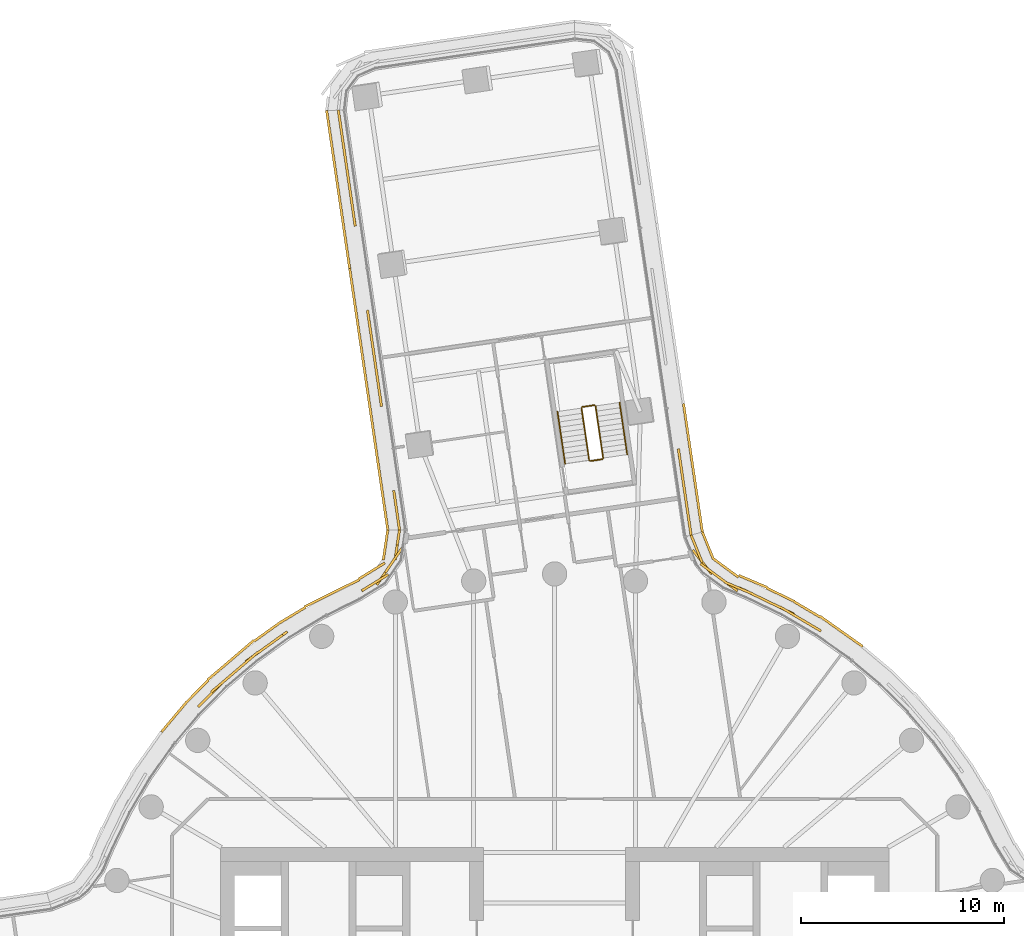
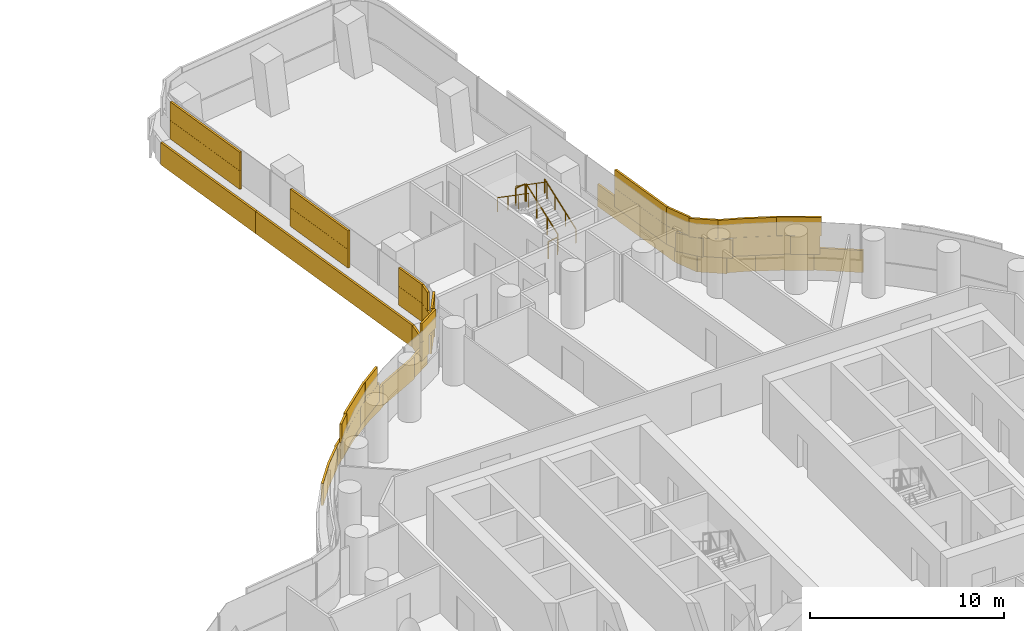
# One storey, part 30 of 31: 6 railings, 5 coverings.
"""IFC4 building model written with IfcOpenShell, lengths in metres."""

from ifc_helpers import new_model, si_unit, direction, frame, origin, origin_2d, place, context, subcontext, project, spatial, rectangle, circle, extrude, material, layer, layer_set, type_object, element, save


model = new_model("IFC4")

# Units and contexts
model_context = context("Model", 3, precision=1e-05, world=origin(), true_north=direction((0.0, 1.0)))
body_context = subcontext(model_context, "Body", "Model", "MODEL_VIEW")
ifc_project = project(units=[si_unit("LENGTHUNIT", "METRE"), si_unit("AREAUNIT", "SQUARE_METRE"), si_unit("VOLUMEUNIT", "CUBIC_METRE"), si_unit("PLANEANGLEUNIT", "RADIAN"), si_unit("MASSUNIT", "GRAM", prefix="KILO")], contexts=[model_context])

# Site, building, storey
site_placement = place(None, origin())
site = spatial("IfcSite", under=ifc_project, at=site_placement, CompositionType="ELEMENT")
building_placement = place(site_placement, origin())
building = spatial("IfcBuilding", under=site, at=building_placement, Name="Tamarind Cross Interchange Tower", CompositionType="ELEMENT")
storey_placement = place(building_placement, frame((0.0, 0.0, 64.0)))
storey = spatial("IfcBuildingStorey", under=building, at=storey_placement, Name="L14", CompositionType="ELEMENT", Elevation=64.0)

# Railings
ifc_material_1 = material(Name="Stair guard")
railing_type_1 = type_object("IfcRailingType", Name="Stair guard", PredefinedType="GUARDRAIL", material=ifc_material_1)
railing_1_placement = place(storey_placement, frame((2.398681640625, 28.719970703125, 0.17041015625)))
element("IfcRailing", 1, at=railing_1_placement, inside=storey, type_object=railing_type_1, Name="L14 ST4 stair guard 1", PredefinedType="GUARDRAIL", context=body_context, shape_type="SweptSolid", body=[
    extrude(circle(Radius=0.02392578125, at=origin_2d()), frame((0.0, 0.0, 1.076171875), z_axis=(-0.121557479117, 0.82742322833, 0.548265064079), x_axis=(-0.989380193908, -0.145350720335, 0.0)), (0.0, 0.0, 1.0), 3.109130859375),
    extrude(circle(Radius=0.02099609375, at=origin_2d()), origin(), (0.0, 0.0, 1.0), 1.052001953125),
    extrude(circle(Radius=0.02099609375, at=origin_2d()), frame((-0.1259765625, 0.857421875, 0.568115234375)), (0.0, 0.0, 1.0), 1.052001953125),
    extrude(circle(Radius=0.02099609375, at=origin_2d()), frame((-0.251953125, 1.715087890625, 1.136474609375)), (0.0, 0.0, 1.0), 1.052001953125),
    extrude(circle(Radius=0.02099609375, at=origin_2d()), frame((-0.3779296875, 2.572509765625, 1.70458984375)), (0.0, 0.0, 1.0), 1.052001953125),
])
railing_2_placement = place(storey_placement, frame((1.9638671875, 31.334716796875, 1.875)))
element("IfcRailing", 2, at=railing_2_placement, inside=storey, type_object=railing_type_1, Name="L14 ST4 stair guard 2", PredefinedType="GUARDRAIL", context=body_context, shape_type="SweptSolid", body=[
    extrude(circle(Radius=0.02392578125, at=origin_2d()), frame((0.0, 0.0, 1.076171875), z_axis=(-0.989329824925, -0.145693162206, 0.0), x_axis=(0.145693162206, -0.989329824925, 0.0)), (0.0, 0.0, 1.0), 0.599853515625),
    extrude(circle(Radius=0.02099609375, at=origin_2d()), origin(), (0.0, 0.0, 1.0), 1.052001953125),
    extrude(circle(Radius=0.02099609375, at=origin_2d()), frame((-0.593505859375, -0.08740234375, 0.0)), (0.0, 0.0, 1.0), 1.052001953125),
])
railing_3_placement = place(storey_placement, frame((1.328125, 31.190673828125, 2.04541015625)))
element("IfcRailing", 3, at=railing_3_placement, inside=storey, type_object=railing_type_1, Name="L14 ST4 stair guard 3", PredefinedType="GUARDRAIL", context=body_context, shape_type="SweptSolid", body=[
    extrude(circle(Radius=0.02392578125, at=origin_2d()), frame((0.0, 0.0, 1.076171875), z_axis=(0.121565377566, -0.827398461266, 0.548300688739), x_axis=(0.989378209911, 0.145364224463, 0.0)), (0.0, 0.0, 1.0), 3.10888671875),
    extrude(circle(Radius=0.02099609375, at=origin_2d()), origin(), (0.0, 0.0, 1.0), 1.052001953125),
    extrude(circle(Radius=0.02099609375, at=origin_2d()), frame((0.1259765625, -0.857421875, 0.568115234375)), (0.0, 0.0, 1.0), 1.052001953125),
    extrude(circle(Radius=0.02099609375, at=origin_2d()), frame((0.251953125, -1.71484375, 1.136474609375)), (0.0, 0.0, 1.0), 1.052001953125),
    extrude(circle(Radius=0.02099609375, at=origin_2d()), frame((0.3779296875, -2.572265625, 1.70458984375)), (0.0, 0.0, 1.0), 1.052001953125),
])
railing_4_placement = place(storey_placement, frame((2.3564453125, 28.663330078125, 0.0)))
element("IfcRailing", 4, at=railing_4_placement, inside=storey, type_object=railing_type_1, Name="L14 ST4 stair guard 4", PredefinedType="GUARDRAIL", context=body_context, shape_type="SweptSolid", body=[
    extrude(circle(Radius=0.02392578125, at=origin_2d()), frame((0.0, 0.0, 1.076171875), z_axis=(-0.98939699401, -0.145236318611, 0.0), x_axis=(0.145236318611, -0.98939699401, 0.0)), (0.0, 0.0, 1.0), 0.60009765625),
    extrude(circle(Radius=0.02099609375, at=origin_2d()), origin(), (0.0, 0.0, 1.0), 1.052001953125),
    extrude(circle(Radius=0.02099609375, at=origin_2d()), frame((-0.59375, -0.087158203125, 0.0)), (0.0, 0.0, 1.0), 1.052001953125),
])
ifc_material_2 = material(Name="Stair handrail")
railing_type_2 = type_object("IfcRailingType", Name="Stair handrail", PredefinedType="HANDRAIL", material=ifc_material_2)
railing_5_placement = place(storey_placement, frame((3.5859375, 28.89453125, 0.17041015625)))
element("IfcRailing", 5, at=railing_5_placement, inside=storey, type_object=railing_type_2, Name="L14 ST4 stair handrail 1", PredefinedType="HANDRAIL", context=body_context, shape_type="SweptSolid", body=[
    extrude(circle(Radius=0.02392578125, at=origin_2d()), frame((0.0, 0.0, 0.8759765625), z_axis=(-0.121565377566, 0.827398461266, 0.548300688739), x_axis=(-0.989378209911, -0.145364224463, 0.0)), (0.0, 0.0, 1.0), 3.10888671875),
    extrude(circle(Radius=0.02099609375, at=origin_2d()), origin(), (0.0, 0.0, 1.0), 0.851806640625),
    extrude(circle(Radius=0.02099609375, at=origin_2d()), frame((-0.1259765625, 0.857421875, 0.568115234375)), (0.0, 0.0, 1.0), 0.851806640625),
    extrude(circle(Radius=0.02099609375, at=origin_2d()), frame((-0.251953125, 1.71484375, 1.136474609375)), (0.0, 0.0, 1.0), 0.851806640625),
    extrude(circle(Radius=0.02099609375, at=origin_2d()), frame((-0.3779296875, 2.572265625, 1.70458984375)), (0.0, 0.0, 1.0), 0.851806640625),
])
railing_6_placement = place(storey_placement, frame((0.140869140625, 31.016357421875, 2.04541015625)))
element("IfcRailing", 6, at=railing_6_placement, inside=storey, type_object=railing_type_2, Name="L14 ST4 stair handrail 2", PredefinedType="HANDRAIL", context=body_context, shape_type="SweptSolid", body=[
    extrude(circle(Radius=0.02392578125, at=origin_2d()), frame((0.0, 0.0, 0.8759765625), z_axis=(0.121557479117, -0.82742322833, 0.548265064079), x_axis=(0.989380193908, 0.145350720335, 0.0)), (0.0, 0.0, 1.0), 3.109130859375),
    extrude(circle(Radius=0.02099609375, at=origin_2d()), origin(), (0.0, 0.0, 1.0), 0.851806640625),
    extrude(circle(Radius=0.02099609375, at=origin_2d()), frame((0.1259765625, -0.857421875, 0.568115234375)), (0.0, 0.0, 1.0), 0.851806640625),
    extrude(circle(Radius=0.02099609375, at=origin_2d()), frame((0.251953125, -1.715087890625, 1.136474609375)), (0.0, 0.0, 1.0), 0.851806640625),
    extrude(circle(Radius=0.02099609375, at=origin_2d()), frame((0.3779296875, -2.572509765625, 1.70458984375)), (0.0, 0.0, 1.0), 0.851806640625),
])

# Coverings
ifc_material_3 = material(Name="Terracotta", Category="masonry")
ifc_layer = layer(ifc_material_3, 0.1201171875)
ifc_layer_set = layer_set([ifc_layer], Name="Terracotta")
covering_type = type_object("IfcCoveringType", Name="Terracotta baguette screen unit", PredefinedType="MOLDING", material=ifc_layer_set)
covering_1_placement = place(storey_placement, origin())
element("IfcCovering", 7, at=covering_1_placement, inside=storey, type_object=covering_type, Name="SCR-L14-10-01", PredefinedType="MOLDING", context=body_context, shape_type="SweptSolid", body=[
    extrude(rectangle(XDim=1.52001953125, YDim=0.1201171875, at=origin_2d()), frame((12.439697265625, 20.6025390625, 1.404052734375), z_axis=(0.0, 0.0, 1.0), x_axis=(-0.861248933065, 0.508183308752, 0.0)), (0.0, 0.0, 1.0), 1.1669921875),
    extrude(rectangle(XDim=1.52001953125, YDim=0.1201171875, at=origin_2d()), frame((11.137451171875, 21.345703125, 1.404052734375), z_axis=(0.0, 0.0, 1.0), x_axis=(-0.900272776334, 0.435326231914, 0.0)), (0.0, 0.0, 1.0), 1.1669921875),
    extrude(rectangle(XDim=1.52001953125, YDim=0.1201171875, at=origin_2d()), frame((9.787109375, 21.998779296875, 1.404052734375), z_axis=(0.0, 0.0, 1.0), x_axis=(-0.900272776334, 0.435326231914, 0.0)), (0.0, 0.0, 1.0), 1.1669921875),
    extrude(rectangle(XDim=1.52001953125, YDim=0.1201171875, at=origin_2d()), frame((8.419921875, 22.610595703125, 1.404052734375), z_axis=(0.0, 0.0, 1.0), x_axis=(-0.804922360255, 0.593380142878, 0.0)), (0.0, 0.0, 1.0), 1.1669921875),
    extrude(rectangle(XDim=1.52001953125, YDim=0.1201171875, at=origin_2d()), frame((7.292724609375, 23.583740234375, 1.404052734375), z_axis=(0.0, 0.0, 1.0), x_axis=(-0.622805604079, 0.78237662256, 0.0)), (0.0, 0.0, 1.0), 1.1669921875),
    extrude(rectangle(XDim=0.70751953125, YDim=0.1201171875, at=origin_2d()), frame((6.868408203125, 24.59521484375, 1.404052734375), z_axis=(0.0, 0.0, 1.0), x_axis=(-0.37557676071, 0.92679129086, 0.0)), (0.0, 0.0, 1.0), 1.1669921875),
    extrude(rectangle(XDim=0.831298828125, YDim=0.1201171875, at=origin_2d()), frame((12.793212890625, 20.393798828125, 2.5791015625), z_axis=(0.0, 0.0, 1.0), x_axis=(-0.861248933065, 0.508183308752, 0.0)), (0.0, 0.0, 1.0), 1.1669921875),
    extrude(rectangle(XDim=1.52001953125, YDim=0.1201171875, at=origin_2d()), frame((11.793701171875, 20.983642578125, 2.5791015625), z_axis=(0.0, 0.0, 1.0), x_axis=(-0.861248933065, 0.508183308752, 0.0)), (0.0, 0.0, 1.0), 1.1669921875),
    extrude(rectangle(XDim=1.52001953125, YDim=0.1201171875, at=origin_2d()), frame((10.46240234375, 21.672119140625, 2.5791015625), z_axis=(0.0, 0.0, 1.0), x_axis=(-0.900272776334, 0.435326231914, 0.0)), (0.0, 0.0, 1.0), 1.1669921875),
    extrude(rectangle(XDim=1.52001953125, YDim=0.1201171875, at=origin_2d()), frame((9.101318359375, 22.301513671875, 2.5791015625), z_axis=(0.0, 0.0, 1.0), x_axis=(-0.920810985922, 0.390009138618, 0.0)), (0.0, 0.0, 1.0), 1.1669921875),
    extrude(rectangle(XDim=1.52001953125, YDim=0.1201171875, at=origin_2d()), frame((7.81640625, 23.0556640625, 2.5791015625), z_axis=(0.0, 0.0, 1.0), x_axis=(-0.804922360255, 0.593380142878, 0.0)), (0.0, 0.0, 1.0), 1.1669921875),
    extrude(rectangle(XDim=1.45751953125, YDim=0.1201171875, at=origin_2d()), frame((7.009033203125, 24.24755859375, 2.5791015625), z_axis=(0.0, 0.0, 1.0), x_axis=(-0.37557676071, 0.92679129086, 0.0)), (0.0, 0.0, 1.0), 1.1669921875),
    extrude(rectangle(XDim=1.07080078125, YDim=0.1201171875, at=origin_2d()), frame((14.775390625, 19.72900390625, 0.00390625), z_axis=(0.0, 0.0, 1.0), x_axis=(-0.816341886298, 0.577568978284, 0.0)), (0.0, 0.0, 1.0), 1.39208984375),
    extrude(rectangle(XDim=1.52001953125, YDim=0.1201171875, at=origin_2d()), frame((13.734375, 20.465576171875, 0.00390625), z_axis=(0.0, 0.0, 1.0), x_axis=(-0.816341886298, 0.577568978284, 0.0)), (0.0, 0.0, 1.0), 1.39208984375),
    extrude(rectangle(XDim=1.52001953125, YDim=0.1201171875, at=origin_2d()), frame((12.4609375, 21.25634765625, 0.00390625), z_axis=(0.0, 0.0, 1.0), x_axis=(-0.861248933065, 0.508183308752, 0.0)), (0.0, 0.0, 1.0), 1.39208984375),
    extrude(rectangle(XDim=1.52001953125, YDim=0.1201171875, at=origin_2d()), frame((11.1474609375, 21.978515625, 0.00390625), z_axis=(0.0, 0.0, 1.0), x_axis=(-0.900272776334, 0.435326231914, 0.0)), (0.0, 0.0, 1.0), 1.39208984375),
    extrude(rectangle(XDim=1.52001953125, YDim=0.1201171875, at=origin_2d()), frame((9.796630859375, 22.63037109375, 0.00390625), z_axis=(0.0, 0.0, 1.0), x_axis=(-0.920810985922, 0.390009138618, 0.0)), (0.0, 0.0, 1.0), 1.39208984375),
    extrude(rectangle(XDim=1.52001953125, YDim=0.1201171875, at=origin_2d()), frame((8.460205078125, 23.294189453125, 0.00390625), z_axis=(0.0, 0.0, 1.0), x_axis=(-0.804922360255, 0.593380142878, 0.0)), (0.0, 0.0, 1.0), 1.39208984375),
    extrude(rectangle(XDim=1.447265625, YDim=0.1201171875, at=origin_2d()), frame((7.56689453125, 24.3994140625, 0.00390625), z_axis=(0.0, 0.0, 1.0), x_axis=(-0.37557676071, 0.92679129086, 0.0)), (0.0, 0.0, 1.0), 1.39208984375),
])
covering_2_placement = place(storey_placement, origin())
element("IfcCovering", 8, at=covering_2_placement, inside=storey, type_object=covering_type, Name="SCR-L14-11-00", PredefinedType="MOLDING", context=body_context, shape_type="SweptSolid", body=[
    extrude(rectangle(XDim=1.510009765625, YDim=0.1201171875, at=origin_2d()), frame((6.62841796875, 25.660400390625, 1.404052734375), z_axis=(0.0, 0.0, 1.0), x_axis=(-0.14536472205, 0.989378136803, 0.0)), (0.0, 0.0, 1.0), 1.1669921875),
    extrude(rectangle(XDim=1.52001953125, YDim=0.1201171875, at=origin_2d()), frame((6.41015625, 27.14453125, 1.404052734375), z_axis=(0.0, 0.0, 1.0), x_axis=(-0.14536472205, 0.989378136803, 0.0)), (0.0, 0.0, 1.0), 1.1669921875),
    extrude(rectangle(XDim=1.313232421875, YDim=0.1201171875, at=origin_2d()), frame((6.20654296875, 28.531005859375, 1.404052734375), z_axis=(0.0, 0.0, 1.0), x_axis=(-0.14536472205, 0.989378136803, 0.0)), (0.0, 0.0, 1.0), 1.1669921875),
    extrude(rectangle(XDim=0.760009765625, YDim=0.1201171875, at=origin_2d()), frame((6.682861328125, 25.289306640625, 2.5791015625), z_axis=(0.0, 0.0, 1.0), x_axis=(-0.14536472205, 0.989378136803, 0.0)), (0.0, 0.0, 1.0), 1.1669921875),
    extrude(rectangle(XDim=1.52001953125, YDim=0.1201171875, at=origin_2d()), frame((6.519287109375, 26.40234375, 2.5791015625), z_axis=(0.0, 0.0, 1.0), x_axis=(-0.14536472205, 0.989378136803, 0.0)), (0.0, 0.0, 1.0), 1.1669921875),
    extrude(rectangle(XDim=1.52001953125, YDim=0.1201171875, at=origin_2d()), frame((6.30126953125, 27.886474609375, 2.5791015625), z_axis=(0.0, 0.0, 1.0), x_axis=(-0.14536472205, 0.989378136803, 0.0)), (0.0, 0.0, 1.0), 1.1669921875),
    extrude(rectangle(XDim=0.563232421875, YDim=0.1201171875, at=origin_2d()), frame((6.152099609375, 28.902099609375, 2.5791015625), z_axis=(0.0, 0.0, 1.0), x_axis=(-0.14536472205, 0.989378136803, 0.0)), (0.0, 0.0, 1.0), 1.1669921875),
    extrude(rectangle(XDim=1.510009765625, YDim=0.1201171875, at=origin_2d()), frame((7.185546875, 25.81689453125, 0.00390625), z_axis=(0.0, 0.0, 1.0), x_axis=(-0.14536472205, 0.989378136803, 0.0)), (0.0, 0.0, 1.0), 1.39208984375),
    extrude(rectangle(XDim=1.52001953125, YDim=0.1201171875, at=origin_2d()), frame((6.96826171875, 27.296142578125, 0.00390625), z_axis=(0.0, 0.0, 1.0), x_axis=(-0.14536472205, 0.989378136803, 0.0)), (0.0, 0.0, 1.0), 1.39208984375),
    extrude(rectangle(XDim=1.52001953125, YDim=0.1201171875, at=origin_2d()), frame((6.75, 28.7802734375, 0.00390625), z_axis=(0.0, 0.0, 1.0), x_axis=(-0.14536472205, 0.989378136803, 0.0)), (0.0, 0.0, 1.0), 1.39208984375),
    extrude(rectangle(XDim=1.52001953125, YDim=0.1201171875, at=origin_2d()), frame((6.531982421875, 30.26416015625, 0.00390625), z_axis=(0.0, 0.0, 1.0), x_axis=(-0.14536472205, 0.989378136803, 0.0)), (0.0, 0.0, 1.0), 1.39208984375),
    extrude(rectangle(XDim=0.4150390625, YDim=0.1201171875, at=origin_2d()), frame((6.394287109375, 31.20166015625, 0.00390625), z_axis=(0.0, 0.0, 1.0), x_axis=(-0.14536472205, 0.989378136803, 0.0)), (0.0, 0.0, 1.0), 1.39208984375),
])
covering_3_placement = place(storey_placement, origin())
element("IfcCovering", 9, at=covering_3_placement, inside=storey, type_object=covering_type, Name="SCR-L14-13-00", PredefinedType="MOLDING", context=body_context, shape_type="SweptSolid", body=[
    extrude(rectangle(XDim=1.510009765625, YDim=0.1201171875, at=origin_2d()), frame((-10.56884765625, 45.154052734375, 1.404052734375), z_axis=(0.0, 0.0, 1.0), x_axis=(0.144186728298, -0.989550497642, 0.0)), (0.0, 0.0, 1.0), 1.1669921875),
    extrude(rectangle(XDim=1.52001953125, YDim=0.1201171875, at=origin_2d()), frame((-10.3525390625, 43.669921875, 1.404052734375), z_axis=(0.0, 0.0, 1.0), x_axis=(0.144186728298, -0.989550497642, 0.0)), (0.0, 0.0, 1.0), 1.1669921875),
    extrude(rectangle(XDim=1.52001953125, YDim=0.1201171875, at=origin_2d()), frame((-10.136474609375, 42.185546875, 1.404052734375), z_axis=(0.0, 0.0, 1.0), x_axis=(0.144186728298, -0.989550497642, 0.0)), (0.0, 0.0, 1.0), 1.1669921875),
    extrude(rectangle(XDim=1.2919921875, YDim=0.1201171875, at=origin_2d()), frame((-9.935791015625, 40.80908203125, 1.404052734375), z_axis=(0.0, 0.0, 1.0), x_axis=(0.144186728298, -0.989550497642, 0.0)), (0.0, 0.0, 1.0), 1.1669921875),
    extrude(rectangle(XDim=0.760009765625, YDim=0.1201171875, at=origin_2d()), frame((-10.623046875, 45.525146484375, 2.5791015625), z_axis=(0.0, 0.0, 1.0), x_axis=(0.144186728298, -0.989550497642, 0.0)), (0.0, 0.0, 1.0), 1.1669921875),
    extrude(rectangle(XDim=1.52001953125, YDim=0.1201171875, at=origin_2d()), frame((-10.460693359375, 44.411865234375, 2.5791015625), z_axis=(0.0, 0.0, 1.0), x_axis=(0.144186728298, -0.989550497642, 0.0)), (0.0, 0.0, 1.0), 1.1669921875),
    extrude(rectangle(XDim=1.52001953125, YDim=0.1201171875, at=origin_2d()), frame((-10.24462890625, 42.927734375, 2.5791015625), z_axis=(0.0, 0.0, 1.0), x_axis=(0.144186728298, -0.989550497642, 0.0)), (0.0, 0.0, 1.0), 1.1669921875),
    extrude(rectangle(XDim=1.52001953125, YDim=0.1201171875, at=origin_2d()), frame((-10.0283203125, 41.443359375, 2.5791015625), z_axis=(0.0, 0.0, 1.0), x_axis=(0.144186728298, -0.989550497642, 0.0)), (0.0, 0.0, 1.0), 1.1669921875),
    extrude(rectangle(XDim=0.5419921875, YDim=0.1201171875, at=origin_2d()), frame((-9.8818359375, 40.43798828125, 2.5791015625), z_axis=(0.0, 0.0, 1.0), x_axis=(0.144186728298, -0.989550497642, 0.0)), (0.0, 0.0, 1.0), 1.1669921875),
    extrude(rectangle(XDim=1.510009765625, YDim=0.1201171875, at=origin_2d()), frame((-11.14697265625, 45.140869140625, 0.00390625), z_axis=(0.0, 0.0, 1.0), x_axis=(0.144186728298, -0.989550497642, 0.0)), (0.0, 0.0, 1.0), 1.39208984375),
    extrude(rectangle(XDim=1.52001953125, YDim=0.1201171875, at=origin_2d()), frame((-10.931396484375, 43.661376953125, 0.00390625), z_axis=(0.0, 0.0, 1.0), x_axis=(0.144186728298, -0.989550497642, 0.0)), (0.0, 0.0, 1.0), 1.39208984375),
    extrude(rectangle(XDim=1.52001953125, YDim=0.1201171875, at=origin_2d()), frame((-10.71533203125, 42.17724609375, 0.00390625), z_axis=(0.0, 0.0, 1.0), x_axis=(0.144186728298, -0.989550497642, 0.0)), (0.0, 0.0, 1.0), 1.39208984375),
    extrude(rectangle(XDim=1.52001953125, YDim=0.1201171875, at=origin_2d()), frame((-10.4990234375, 40.69287109375, 0.00390625), z_axis=(0.0, 0.0, 1.0), x_axis=(0.144186728298, -0.989550497642, 0.0)), (0.0, 0.0, 1.0), 1.39208984375),
    extrude(rectangle(XDim=1.52001953125, YDim=0.1201171875, at=origin_2d()), frame((-10.28271484375, 39.20849609375, 0.00390625), z_axis=(0.0, 0.0, 1.0), x_axis=(0.144186728298, -0.989550497642, 0.0)), (0.0, 0.0, 1.0), 1.39208984375),
    extrude(rectangle(XDim=0.388671875, YDim=0.1201171875, at=origin_2d()), frame((-10.14794921875, 38.283935546875, 0.00390625), z_axis=(0.0, 0.0, 1.0), x_axis=(0.144186728298, -0.989550497642, 0.0)), (0.0, 0.0, 1.0), 1.39208984375),
])
covering_4_placement = place(storey_placement, origin())
element("IfcCovering", 10, at=covering_4_placement, inside=storey, type_object=covering_type, Name="SCR-L14-13-01", PredefinedType="MOLDING", context=body_context, shape_type="SweptSolid", body=[
    extrude(rectangle(XDim=0.52783203125, YDim=0.1201171875, at=origin_2d()), frame((-9.200439453125, 35.76220703125, 1.404052734375), z_axis=(0.0, 0.0, 1.0), x_axis=(0.144186728298, -0.989550497642, 0.0)), (0.0, 0.0, 1.0), 1.1669921875),
    extrude(rectangle(XDim=1.52001953125, YDim=0.1201171875, at=origin_2d()), frame((-9.054931640625, 34.763916015625, 1.404052734375), z_axis=(0.0, 0.0, 1.0), x_axis=(0.144186728298, -0.989550497642, 0.0)), (0.0, 0.0, 1.0), 1.1669921875),
    extrude(rectangle(XDim=1.52001953125, YDim=0.1201171875, at=origin_2d()), frame((-8.838623046875, 33.279541015625, 1.404052734375), z_axis=(0.0, 0.0, 1.0), x_axis=(0.144186728298, -0.989550497642, 0.0)), (0.0, 0.0, 1.0), 1.1669921875),
    extrude(rectangle(XDim=1.29150390625, YDim=0.1201171875, at=origin_2d()), frame((-8.63818359375, 31.9033203125, 1.404052734375), z_axis=(0.0, 0.0, 1.0), x_axis=(0.144186728298, -0.989550497642, 0.0)), (0.0, 0.0, 1.0), 1.1669921875),
    extrude(rectangle(XDim=0.528564453125, YDim=0.1201171875, at=origin_2d()), frame((-7.90283203125, 26.856689453125, 1.404052734375), z_axis=(0.0, 0.0, 1.0), x_axis=(0.144186728298, -0.989550497642, 0.0)), (0.0, 0.0, 1.0), 1.1669921875),
    extrude(rectangle(XDim=1.447509765625, YDim=0.1201171875, at=origin_2d()), frame((-7.76171875, 25.888916015625, 1.404052734375), z_axis=(0.0, 0.0, 1.0), x_axis=(0.144186728298, -0.989550497642, 0.0)), (0.0, 0.0, 1.0), 1.1669921875),
    extrude(rectangle(XDim=1.27783203125, YDim=0.1201171875, at=origin_2d()), frame((-9.146484375, 35.39111328125, 2.5791015625), z_axis=(0.0, 0.0, 1.0), x_axis=(0.144186728298, -0.989550497642, 0.0)), (0.0, 0.0, 1.0), 1.1669921875),
    extrude(rectangle(XDim=1.52001953125, YDim=0.1201171875, at=origin_2d()), frame((-8.94677734375, 34.021728515625, 2.5791015625), z_axis=(0.0, 0.0, 1.0), x_axis=(0.144186728298, -0.989550497642, 0.0)), (0.0, 0.0, 1.0), 1.1669921875),
    extrude(rectangle(XDim=1.52001953125, YDim=0.1201171875, at=origin_2d()), frame((-8.73046875, 32.537353515625, 2.5791015625), z_axis=(0.0, 0.0, 1.0), x_axis=(0.144186728298, -0.989550497642, 0.0)), (0.0, 0.0, 1.0), 1.1669921875),
    extrude(rectangle(XDim=0.54150390625, YDim=0.1201171875, at=origin_2d()), frame((-8.583984375, 31.5322265625, 2.5791015625), z_axis=(0.0, 0.0, 1.0), x_axis=(0.144186728298, -0.989550497642, 0.0)), (0.0, 0.0, 1.0), 1.1669921875),
    extrude(rectangle(XDim=1.278564453125, YDim=0.1201171875, at=origin_2d()), frame((-7.8486328125, 26.485595703125, 2.5791015625), z_axis=(0.0, 0.0, 1.0), x_axis=(0.144186728298, -0.989550497642, 0.0)), (0.0, 0.0, 1.0), 1.1669921875),
    extrude(rectangle(XDim=0.697509765625, YDim=0.1201171875, at=origin_2d()), frame((-7.707763671875, 25.517822265625, 2.5791015625), z_axis=(0.0, 0.0, 1.0), x_axis=(0.144186728298, -0.989550497642, 0.0)), (0.0, 0.0, 1.0), 1.1669921875),
    extrude(rectangle(XDim=1.13134765625, YDim=0.1201171875, at=origin_2d()), frame((-10.038330078125, 37.53173828125, 0.00390625), z_axis=(0.0, 0.0, 1.0), x_axis=(0.144186728298, -0.989550497642, 0.0)), (0.0, 0.0, 1.0), 1.39208984375),
    extrude(rectangle(XDim=1.52001953125, YDim=0.1201171875, at=origin_2d()), frame((-9.85009765625, 36.23974609375, 0.00390625), z_axis=(0.0, 0.0, 1.0), x_axis=(0.144186728298, -0.989550497642, 0.0)), (0.0, 0.0, 1.0), 1.39208984375),
    extrude(rectangle(XDim=1.52001953125, YDim=0.1201171875, at=origin_2d()), frame((-9.6337890625, 34.755615234375, 0.00390625), z_axis=(0.0, 0.0, 1.0), x_axis=(0.144186728298, -0.989550497642, 0.0)), (0.0, 0.0, 1.0), 1.39208984375),
    extrude(rectangle(XDim=1.52001953125, YDim=0.1201171875, at=origin_2d()), frame((-9.41748046875, 33.271240234375, 0.00390625), z_axis=(0.0, 0.0, 1.0), x_axis=(0.144186728298, -0.989550497642, 0.0)), (0.0, 0.0, 1.0), 1.39208984375),
    extrude(rectangle(XDim=1.52001953125, YDim=0.1201171875, at=origin_2d()), frame((-9.201171875, 31.786865234375, 0.00390625), z_axis=(0.0, 0.0, 1.0), x_axis=(0.144186728298, -0.989550497642, 0.0)), (0.0, 0.0, 1.0), 1.39208984375),
    extrude(rectangle(XDim=1.52001953125, YDim=0.1201171875, at=origin_2d()), frame((-8.98486328125, 30.302490234375, 0.00390625), z_axis=(0.0, 0.0, 1.0), x_axis=(0.144186728298, -0.989550497642, 0.0)), (0.0, 0.0, 1.0), 1.39208984375),
    extrude(rectangle(XDim=1.52001953125, YDim=0.1201171875, at=origin_2d()), frame((-8.768798828125, 28.818115234375, 0.00390625), z_axis=(0.0, 0.0, 1.0), x_axis=(0.144186728298, -0.989550497642, 0.0)), (0.0, 0.0, 1.0), 1.39208984375),
    extrude(rectangle(XDim=1.52001953125, YDim=0.1201171875, at=origin_2d()), frame((-8.552490234375, 27.333984375, 0.00390625), z_axis=(0.0, 0.0, 1.0), x_axis=(0.144186728298, -0.989550497642, 0.0)), (0.0, 0.0, 1.0), 1.39208984375),
    extrude(rectangle(XDim=1.4384765625, YDim=0.1201171875, at=origin_2d()), frame((-8.342041015625, 25.889892578125, 0.00390625), z_axis=(0.0, 0.0, 1.0), x_axis=(0.144186728298, -0.989550497642, 0.0)), (0.0, 0.0, 1.0), 1.39208984375),
])
covering_5_placement = place(storey_placement, origin())
element("IfcCovering", 11, at=covering_5_placement, inside=storey, type_object=covering_type, Name="SCR-L14-14-00", PredefinedType="MOLDING", context=body_context, shape_type="SweptSolid", body=[
    extrude(rectangle(XDim=1.510009765625, YDim=0.1201171875, at=origin_2d()), frame((-7.767822265625, 24.435546875, 1.404052734375), z_axis=(0.0, 0.0, 1.0), x_axis=(-0.146080012647, -0.98927277831, 0.0)), (0.0, 0.0, 1.0), 1.1669921875),
    extrude(rectangle(XDim=1.52001953125, YDim=0.1201171875, at=origin_2d()), frame((-8.345947265625, 23.092529296875, 1.404052734375), z_axis=(0.0, 0.0, 1.0), x_axis=(-0.565208707659, -0.824947947925, 0.0)), (0.0, 0.0, 1.0), 1.1669921875),
    extrude(rectangle(XDim=0.7822265625, YDim=0.1201171875, at=origin_2d()), frame((-9.193603515625, 22.37109375, 1.404052734375), z_axis=(0.0, 0.0, 1.0), x_axis=(-0.851645225261, -0.524118698665, 0.0)), (0.0, 0.0, 1.0), 1.1669921875),
    extrude(rectangle(XDim=1.037841796875, YDim=0.1201171875, at=origin_2d()), frame((-13.618408203125, 19.84912109375, 1.404052734375), z_axis=(0.0, 0.0, 1.0), x_axis=(-0.811340475102, -0.584573890505, 0.0)), (0.0, 0.0, 1.0), 1.1669921875),
    extrude(rectangle(XDim=1.52001953125, YDim=0.1201171875, at=origin_2d()), frame((-14.64404296875, 19.1103515625, 1.404052734375), z_axis=(0.0, 0.0, 1.0), x_axis=(-0.811340475102, -0.584573890505, 0.0)), (0.0, 0.0, 1.0), 1.1669921875),
    extrude(rectangle(XDim=1.52001953125, YDim=0.1201171875, at=origin_2d()), frame((-15.798828125, 18.154541015625, 1.404052734375), z_axis=(0.0, 0.0, 1.0), x_axis=(-0.760295606781, -0.64957723968, 0.0)), (0.0, 0.0, 1.0), 1.1669921875),
    extrude(rectangle(XDim=1.52001953125, YDim=0.1201171875, at=origin_2d()), frame((-16.898681640625, 17.13623046875, 1.404052734375), z_axis=(0.0, 0.0, 1.0), x_axis=(-0.704057148523, -0.710143317658, 0.0)), (0.0, 0.0, 1.0), 1.1669921875),
    extrude(rectangle(XDim=0.760009765625, YDim=0.1201171875, at=origin_2d()), frame((-7.712890625, 24.806640625, 2.5791015625), z_axis=(0.0, 0.0, 1.0), x_axis=(-0.146080012647, -0.98927277831, 0.0)), (0.0, 0.0, 1.0), 1.1669921875),
    extrude(rectangle(XDim=1.52001953125, YDim=0.1201171875, at=origin_2d()), frame((-7.921875, 23.711181640625, 2.5791015625), z_axis=(0.0, 0.0, 1.0), x_axis=(-0.565208707659, -0.824947947925, 0.0)), (0.0, 0.0, 1.0), 1.1669921875),
    extrude(rectangle(XDim=1.52001953125, YDim=0.1201171875, at=origin_2d()), frame((-8.86474609375, 22.573486328125, 2.5791015625), z_axis=(0.0, 0.0, 1.0), x_axis=(-0.851645225261, -0.524118698665, 0.0)), (0.0, 0.0, 1.0), 1.1669921875),
    extrude(rectangle(XDim=1.52001953125, YDim=0.1201171875, at=origin_2d()), frame((-14.035400390625, 19.548828125, 2.5791015625), z_axis=(0.0, 0.0, 1.0), x_axis=(-0.811340475102, -0.584573890505, 0.0)), (0.0, 0.0, 1.0), 1.1669921875),
    extrude(rectangle(XDim=1.52001953125, YDim=0.1201171875, at=origin_2d()), frame((-15.228759765625, 18.641845703125, 2.5791015625), z_axis=(0.0, 0.0, 1.0), x_axis=(-0.760295606781, -0.64957723968, 0.0)), (0.0, 0.0, 1.0), 1.1669921875),
    extrude(rectangle(XDim=1.52001953125, YDim=0.1201171875, at=origin_2d()), frame((-16.369140625, 17.66748046875, 2.5791015625), z_axis=(0.0, 0.0, 1.0), x_axis=(-0.760295606781, -0.64957723968, 0.0)), (0.0, 0.0, 1.0), 1.1669921875),
    extrude(rectangle(XDim=0.988525390625, YDim=0.1201171875, at=origin_2d()), frame((-17.2431640625, 16.788818359375, 2.5791015625), z_axis=(0.0, 0.0, 1.0), x_axis=(-0.704057148523, -0.710143317658, 0.0)), (0.0, 0.0, 1.0), 1.1669921875),
    extrude(rectangle(XDim=1.510009765625, YDim=0.1201171875, at=origin_2d()), frame((-8.3486328125, 24.43115234375, 0.00390625), z_axis=(0.0, 0.0, 1.0), x_axis=(-0.146080012647, -0.98927277831, 0.0)), (0.0, 0.0, 1.0), 1.39208984375),
    extrude(rectangle(XDim=1.52001953125, YDim=0.1201171875, at=origin_2d()), frame((-9.031982421875, 23.14453125, 0.00390625), z_axis=(0.0, 0.0, 1.0), x_axis=(-0.851645225261, -0.524118698665, 0.0)), (0.0, 0.0, 1.0), 1.39208984375),
    extrude(rectangle(XDim=1.52001953125, YDim=0.1201171875, at=origin_2d()), frame((-10.322998046875, 22.382568359375, 0.00390625), z_axis=(0.0, 0.0, 1.0), x_axis=(-0.896492548518, -0.443058811505, 0.0)), (0.0, 0.0, 1.0), 1.39208984375),
    extrude(rectangle(XDim=1.52001953125, YDim=0.1201171875, at=origin_2d()), frame((-11.667724609375, 21.718017578125, 0.00390625), z_axis=(0.0, 0.0, 1.0), x_axis=(-0.896492548518, -0.443058811505, 0.0)), (0.0, 0.0, 1.0), 1.39208984375),
    extrude(rectangle(XDim=1.52001953125, YDim=0.1201171875, at=origin_2d()), frame((-12.960205078125, 20.957763671875, 0.00390625), z_axis=(0.0, 0.0, 1.0), x_axis=(-0.856843065292, -0.515577308909, 0.0)), (0.0, 0.0, 1.0), 1.39208984375),
    extrude(rectangle(XDim=1.52001953125, YDim=0.1201171875, at=origin_2d()), frame((-14.2099609375, 20.130615234375, 0.00390625), z_axis=(0.0, 0.0, 1.0), x_axis=(-0.811340475102, -0.584573890505, 0.0)), (0.0, 0.0, 1.0), 1.39208984375),
    extrude(rectangle(XDim=1.52001953125, YDim=0.1201171875, at=origin_2d()), frame((-15.41455078125, 19.238037109375, 0.00390625), z_axis=(0.0, 0.0, 1.0), x_axis=(-0.760295606781, -0.64957723968, 0.0)), (0.0, 0.0, 1.0), 1.39208984375),
    extrude(rectangle(XDim=1.52001953125, YDim=0.1201171875, at=origin_2d()), frame((-16.554931640625, 18.263671875, 0.00390625), z_axis=(0.0, 0.0, 1.0), x_axis=(-0.760295606781, -0.64957723968, 0.0)), (0.0, 0.0, 1.0), 1.39208984375),
    extrude(rectangle(XDim=1.52001953125, YDim=0.1201171875, at=origin_2d()), frame((-17.627685546875, 17.21630859375, 0.00390625), z_axis=(0.0, 0.0, 1.0), x_axis=(-0.704057148523, -0.710143317658, 0.0)), (0.0, 0.0, 1.0), 1.39208984375),
    extrude(rectangle(XDim=1.52001953125, YDim=0.1201171875, at=origin_2d()), frame((-18.64306640625, 16.114013671875, 0.00390625), z_axis=(0.0, 0.0, 1.0), x_axis=(-0.643009266048, -0.765858396687, 0.0)), (0.0, 0.0, 1.0), 1.39208984375),
    extrude(rectangle(XDim=0.44921875, YDim=0.1201171875, at=origin_2d()), frame((-19.263427734375, 15.375244140625, 0.00390625), z_axis=(0.0, 0.0, 1.0), x_axis=(-0.643009266048, -0.765858396687, 0.0)), (0.0, 0.0, 1.0), 1.39208984375),
])

save(model, "model.ifc")
